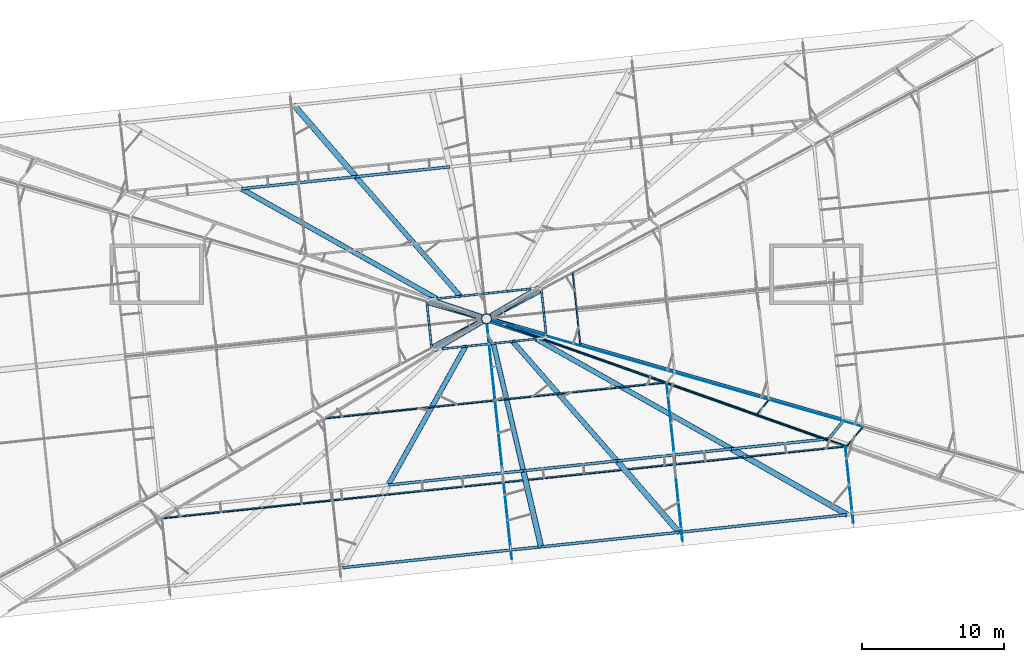
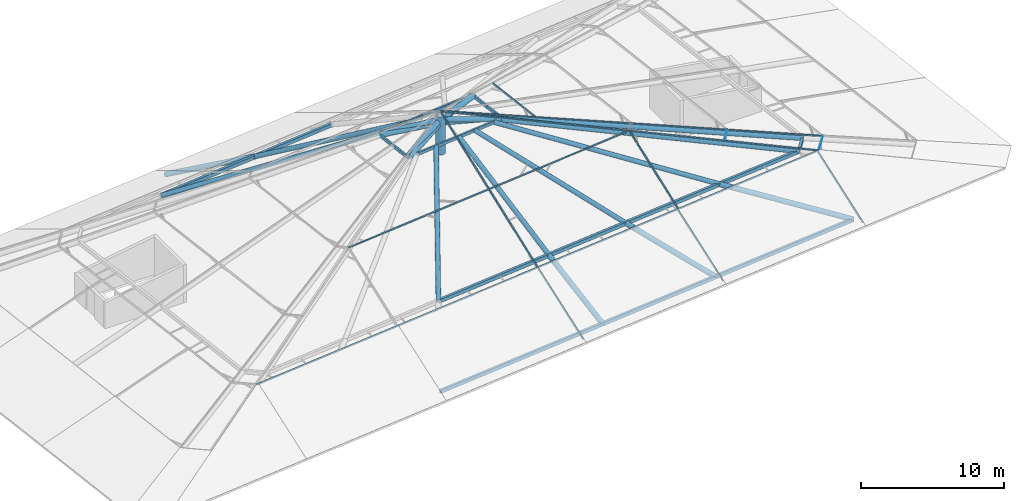
# One storey, part 2 of 20: 33 members, 22 beams, 4 elements without a shape of their own.
"""IFC4 building model written with IfcOpenShell, lengths in metres."""

from ifc_helpers import new_model, si_unit, direction, frame, origin, origin_2d, place, context, subcontext, project, spatial, rectangle, hollow_rectangle, hollow_circle, extrude, material, layer, layer_set, material_profile, profile_set, type_object, element, aggregate, save


model = new_model("IFC4")

# Units and contexts
model_context = context("Model", 3, precision=1e-05, world=origin(), true_north=direction((0.0, 1.0)))
body_context = subcontext(model_context, "Body", "Model", "MODEL_VIEW")
ifc_project = project(units=[si_unit("LENGTHUNIT", "METRE"), si_unit("AREAUNIT", "SQUARE_METRE"), si_unit("VOLUMEUNIT", "CUBIC_METRE"), si_unit("PLANEANGLEUNIT", "RADIAN"), si_unit("MASSUNIT", "GRAM", prefix="KILO")], contexts=[model_context])

# Site, building, storey
site_placement = place(None, origin())
site = spatial("IfcSite", under=ifc_project, at=site_placement, CompositionType="ELEMENT")
building_placement = place(site_placement, origin())
building = spatial("IfcBuilding", under=site, at=building_placement, Name="Hakoniwa Tower and Hamabe Station Hall", CompositionType="ELEMENT")
storey_placement = place(building_placement, frame((0.0, 0.0, 285.0)))
storey = spatial("IfcBuildingStorey", under=building, at=storey_placement, Name="Roof", CompositionType="ELEMENT", Elevation=285.0)

# Members
ifc_material_1 = material(Name="Steel STK490", Category="steel")
ifc_material_profile_1 = material_profile(ifc_material_1, hollow_circle(Radius=0.355712890625, WallThickness=0.02490234375, at=origin_2d()), Name="CHS-711.2x25")
ifc_profile_set_1 = profile_set([ifc_material_profile_1], Name="Steel STK490")
member_type_1 = type_object("IfcMemberType", Name="CROWN KING POST CHS-711.2x25", PredefinedType="POST", material=ifc_profile_set_1)
member_1_placement = place(storey_placement, frame((0.0, 2.5, 6.39990234375), z_axis=(0.0, 0.0, 1.0), x_axis=(1.0, 0.0, 0.0)))
element("IfcMember", 1, at=member_1_placement, inside=storey, type_object=member_type_1, Name="CROWN FRAME CM-01", PredefinedType="POST", context=body_context, shape_type="SweptSolid", body=[
    extrude(hollow_circle(Radius=0.355712890625, WallThickness=0.02490234375, at=origin_2d()), origin(), (0.0, 0.0, 1.0), 3.217041015625),
])
ifc_material_2 = material(Name="Steel STK490", Category="steel")
ifc_material_profile_2 = material_profile(ifc_material_2, hollow_circle(Radius=0.177734375, WallThickness=0.0126953125, at=origin_2d()), Name="CHS-355.6x12.7")
ifc_profile_set_2 = profile_set([ifc_material_profile_2], Name="Steel STK490")
member_type_2 = type_object("IfcMemberType", Name="CROWN RIB CHS-355.6x12.7", PredefinedType="MEMBER", material=ifc_profile_set_2)
member_2_placement = place(storey_placement, frame((-9.17578125, 12.48046875, 3.199951171875), z_axis=(0.592287627107, -0.677561906564, 0.436010584217), x_axis=(0.752895469901, 0.658140115327, 0.0)))
element("IfcMember", 2, at=member_2_placement, inside=storey, type_object=member_type_2, Name="CROWN FRAME CRB-06", PredefinedType="MEMBER", context=body_context, shape_type="SweptSolid", body=[
    extrude(hollow_circle(Radius=0.177734375, WallThickness=0.0126953125, at=origin_2d()), origin(), (0.0, 0.0, 1.0), 12.38525390625),
])
member_3_placement = place(storey_placement, frame((-17.214111328125, 11.635498046875, 3.199951171875), z_axis=(0.824316180444, -0.463918979349, 0.324471902109), x_axis=(0.490454876128, 0.871466588277, 0.0)))
element("IfcMember", 3, at=member_3_placement, inside=storey, type_object=member_type_2, Name="CROWN FRAME CRB-07", PredefinedType="MEMBER", context=body_context, shape_type="SweptSolid", body=[
    extrude(hollow_circle(Radius=0.177734375, WallThickness=0.0126953125, at=origin_2d()), origin(), (0.0, 0.0, 1.0), 16.642822265625),
])
member_4_placement = place(storey_placement, frame((-6.900390625, -9.170166015625, 3.199951171875), z_axis=(0.438467169555, 0.785905684686, 0.43600320641), x_axis=(-0.873281797417, 0.487215457781, 0.0)))
element("IfcMember", 4, at=member_4_placement, inside=storey, type_object=member_type_2, Name="CROWN FRAME CRB-14", PredefinedType="MEMBER", context=body_context, shape_type="SweptSolid", body=[
    extrude(hollow_circle(Radius=0.177734375, WallThickness=0.0126953125, at=origin_2d()), origin(), (0.0, 0.0, 1.0), 12.385498046875),
])
member_5_placement = place(storey_placement, frame((2.584716796875, -8.173095703125, 3.199951171875), z_axis=(-0.197231479814, 0.839196117526, 0.506803334341), x_axis=(-0.973475697054, -0.228790443954, 0.0)))
element("IfcMember", 5, at=member_5_placement, inside=storey, type_object=member_type_2, Name="CROWN FRAME CRB-15", PredefinedType="MEMBER", context=body_context, shape_type="SweptSolid", body=[
    extrude(hollow_circle(Radius=0.177734375, WallThickness=0.0126953125, at=origin_2d()), origin(), (0.0, 0.0, 1.0), 10.6552734375),
])
member_6_placement = place(storey_placement, frame((9.17578125, -7.48046875, 3.199951171875), z_axis=(-0.592287627107, 0.677561906564, 0.436010584217), x_axis=(-0.752895469901, -0.658140115327, 0.0)))
element("IfcMember", 6, at=member_6_placement, inside=storey, type_object=member_type_2, Name="CROWN FRAME CRB-16", PredefinedType="MEMBER", context=body_context, shape_type="SweptSolid", body=[
    extrude(hollow_circle(Radius=0.177734375, WallThickness=0.0126953125, at=origin_2d()), origin(), (0.0, 0.0, 1.0), 12.38525390625),
])
member_7_placement = place(storey_placement, frame((17.214111328125, -6.635498046875, 3.199951171875), z_axis=(-0.824316180444, 0.463918979349, 0.324471902109), x_axis=(-0.490454876128, -0.871466588277, 0.0)))
element("IfcMember", 7, at=member_7_placement, inside=storey, type_object=member_type_2, Name="CROWN FRAME CRB-17", PredefinedType="MEMBER", context=body_context, shape_type="SweptSolid", body=[
    extrude(hollow_circle(Radius=0.177734375, WallThickness=0.0126953125, at=origin_2d()), origin(), (0.0, 0.0, 1.0), 16.642822265625),
])
ifc_material_3 = material(Name="Steel STK490", Category="steel")
ifc_material_profile_3 = material_profile(ifc_material_3, hollow_circle(Radius=0.203125, WallThickness=0.01611328125, at=origin_2d()), Name="CHS-406.4x16")
ifc_profile_set_3 = profile_set([ifc_material_profile_3], Name="Steel STK490")
member_type_3 = type_object("IfcMemberType", Name="CROWN RIB CHS-406.4x16", PredefinedType="MEMBER", material=ifc_profile_set_3)
member_8_placement = place(storey_placement, frame((3.855224609375, 4.548583984375, 8.60009765625), z_axis=(-0.874900174883, -0.464864229426, 0.135834208469), x_axis=(0.469213092441, -0.883084975459, 0.0)))
element("IfcMember", 8, at=member_8_placement, inside=storey, type_object=member_type_3, Name="CROWN FRAME CH-1-3", PredefinedType="MEMBER", context=body_context, shape_type="SweptSolid", body=[
    extrude(hollow_circle(Radius=0.203125, WallThickness=0.01611328125, at=origin_2d()), origin(), (0.0, 0.0, 1.0), 4.047607421875),
])
member_9_placement = place(storey_placement, frame((3.703857421875, 4.67138671875, 8.60009765625), z_axis=(-0.86016753086, -0.504329935084, 0.075915317514), x_axis=(0.505789507768, -0.862656927076, 0.0)))
element("IfcMember", 9, at=member_9_placement, inside=storey, type_object=member_type_3, Name="CROWN FRAME CH-2-3", PredefinedType="MEMBER", context=body_context, shape_type="SweptSolid", body=[
    extrude(hollow_circle(Radius=0.203125, WallThickness=0.01611328125, at=origin_2d()), origin(), (0.0, 0.0, 1.0), 3.94921875),
])
member_10_placement = place(storey_placement, frame((-13.518310546875, 17.495361328125, 0.14990234375), z_axis=(0.594758185141, -0.686845891998, 0.417738461065), x_axis=(0.75596587678, 0.654611024307, 0.0)))
element("IfcMember", 10, at=member_10_placement, inside=storey, type_object=member_type_3, Name="CROWN FRAME CRF-06", PredefinedType="MEMBER", context=body_context, shape_type="SweptSolid", body=[
    extrude(hollow_circle(Radius=0.203125, WallThickness=0.01611328125, at=origin_2d()), origin(), (0.0, 0.0, 1.0), 7.30126953125),
])
member_11_placement = place(storey_placement, frame((-4.07421875, 3.853759765625, 8.60009765625), z_axis=(0.939863285548, -0.312305283568, 0.138283818049), x_axis=(0.315334818001, 0.948980480598, 0.0)))
element("IfcMember", 11, at=member_11_placement, inside=storey, type_object=member_type_3, Name="CROWN FRAME CH-3-3", PredefinedType="MEMBER", context=body_context, shape_type="SweptSolid", body=[
    extrude(hollow_circle(Radius=0.203125, WallThickness=0.01611328125, at=origin_2d()), origin(), (0.0, 0.0, 1.0), 3.975830078125),
])
member_12_placement = place(storey_placement, frame((-4.197021484375, 3.702392578125, 8.60009765625), z_axis=(0.958651007993, -0.274646137683, 0.074550277868), x_axis=(0.275412540221, 0.961326132324, 0.0)))
element("IfcMember", 12, at=member_12_placement, inside=storey, type_object=member_type_3, Name="CROWN FRAME CH-4-3", PredefinedType="MEMBER", context=body_context, shape_type="SweptSolid", body=[
    extrude(hollow_circle(Radius=0.203125, WallThickness=0.01611328125, at=origin_2d()), origin(), (0.0, 0.0, 1.0), 4.021484375),
])
member_13_placement = place(storey_placement, frame((-3.855224609375, 0.451416015625, 8.60009765625), z_axis=(0.874900174883, 0.464864229426, 0.135834208469), x_axis=(-0.469213092441, 0.883084975459, 0.0)))
element("IfcMember", 13, at=member_13_placement, inside=storey, type_object=member_type_3, Name="CROWN FRAME CH-5-3", PredefinedType="MEMBER", context=body_context, shape_type="SweptSolid", body=[
    extrude(hollow_circle(Radius=0.203125, WallThickness=0.01611328125, at=origin_2d()), origin(), (0.0, 0.0, 1.0), 4.047607421875),
])
member_14_placement = place(storey_placement, frame((-3.703857421875, 0.32861328125, 8.60009765625), z_axis=(0.86016753086, 0.504329935084, 0.075915317514), x_axis=(-0.505789507768, 0.862656927076, 0.0)))
element("IfcMember", 14, at=member_14_placement, inside=storey, type_object=member_type_3, Name="CROWN FRAME CH-6-3", PredefinedType="MEMBER", context=body_context, shape_type="SweptSolid", body=[
    extrude(hollow_circle(Radius=0.203125, WallThickness=0.01611328125, at=origin_2d()), origin(), (0.0, 0.0, 1.0), 3.94921875),
])
member_15_placement = place(storey_placement, frame((3.832763671875, -13.51318359375, 0.14990234375), z_axis=(-0.198888566942, 0.850995622988, 0.486055333882), x_axis=(-0.973759380368, -0.227580028, 0.0)))
element("IfcMember", 15, at=member_15_placement, inside=storey, type_object=member_type_3, Name="CROWN FRAME CRF-15", PredefinedType="MEMBER", context=body_context, shape_type="SweptSolid", body=[
    extrude(hollow_circle(Radius=0.203125, WallThickness=0.01611328125, at=origin_2d()), origin(), (0.0, 0.0, 1.0), 6.275146484375),
])
member_16_placement = place(storey_placement, frame((13.518310546875, -12.495361328125, 0.14990234375), z_axis=(-0.594758185141, 0.686845891998, 0.417738461065), x_axis=(-0.75596587678, -0.654611024307, 0.0)))
element("IfcMember", 16, at=member_16_placement, inside=storey, type_object=member_type_3, Name="CROWN FRAME CRF-16", PredefinedType="MEMBER", context=body_context, shape_type="SweptSolid", body=[
    extrude(hollow_circle(Radius=0.203125, WallThickness=0.01611328125, at=origin_2d()), origin(), (0.0, 0.0, 1.0), 7.30126953125),
])
member_17_placement = place(storey_placement, frame((25.329833984375, -11.25390625, 0.14990234375), z_axis=(-0.826169745052, 0.470147796978, 0.310490903824), x_axis=(-0.494592356098, -0.869125078047, 0.0)))
element("IfcMember", 17, at=member_17_placement, inside=storey, type_object=member_type_3, Name="CROWN FRAME CRF-17", PredefinedType="MEMBER", context=body_context, shape_type="SweptSolid", body=[
    extrude(hollow_circle(Radius=0.203125, WallThickness=0.01611328125, at=origin_2d()), origin(), (0.0, 0.0, 1.0), 9.8232421875),
])
member_18_placement = place(storey_placement, frame((24.03076171875, -5.931396484375, 3.199951171875), z_axis=(-0.9132514671, 0.323886863928, 0.247121543402), x_axis=(-0.334253919553, -0.942483059404, 0.0)))
element("IfcMember", 18, at=member_18_placement, inside=storey, type_object=member_type_3, Name="CROWN FRAME CH-7-2", PredefinedType="MEMBER", context=body_context, shape_type="SweptSolid", body=[
    extrude(hollow_circle(Radius=0.203125, WallThickness=0.01611328125, at=origin_2d()), origin(), (0.0, 0.0, 1.0), 21.852294921875),
])
member_19_placement = place(storey_placement, frame((4.07421875, 1.146240234375, 8.60009765625), z_axis=(-0.939863285548, 0.312305283568, 0.138283818049), x_axis=(-0.315334818001, -0.948980480598, 0.0)))
element("IfcMember", 19, at=member_19_placement, inside=storey, type_object=member_type_3, Name="CROWN FRAME CH-7-3", PredefinedType="MEMBER", context=body_context, shape_type="SweptSolid", body=[
    extrude(hollow_circle(Radius=0.203125, WallThickness=0.01611328125, at=origin_2d()), origin(), (0.0, 0.0, 1.0), 3.975830078125),
])
member_20_placement = place(storey_placement, frame((25.045166015625, -4.6787109375, 3.199951171875), z_axis=(-0.932802333081, 0.26739663573, 0.241617148809), x_axis=(-0.275561053028, -0.961283572134, 0.0)))
element("IfcMember", 20, at=member_20_placement, inside=storey, type_object=member_type_3, Name="CROWN FRAME CH-8-2", PredefinedType="MEMBER", context=body_context, shape_type="SweptSolid", body=[
    extrude(hollow_circle(Radius=0.203125, WallThickness=0.01611328125, at=origin_2d()), origin(), (0.0, 0.0, 1.0), 22.35009765625),
])
member_21_placement = place(storey_placement, frame((4.197021484375, 1.297607421875, 8.60009765625), z_axis=(-0.958651007993, 0.274646137683, 0.074550277868), x_axis=(-0.275412540221, -0.961326132324, 0.0)))
element("IfcMember", 21, at=member_21_placement, inside=storey, type_object=member_type_3, Name="CROWN FRAME CH-8-3", PredefinedType="MEMBER", context=body_context, shape_type="SweptSolid", body=[
    extrude(hollow_circle(Radius=0.203125, WallThickness=0.01611328125, at=origin_2d()), origin(), (0.0, 0.0, 1.0), 4.021484375),
])

# Beams
ifc_material_4 = material(Name="Steel STKR400", Category="steel")
ifc_material_profile_4 = material_profile(ifc_material_4, hollow_rectangle(XDim=0.199951171875, YDim=0.300048828125, WallThickness=0.009033203125, InnerFilletRadius=0.00439453125, OuterFilletRadius=0.013427734375, at=origin_2d()), Name="RHS-300x200x9")
ifc_profile_set_4 = profile_set([ifc_material_profile_4], Name="Steel STKR400")
beam_type_1 = type_object("IfcBeamType", Name="CROWN RING BEAM RHS-300x200x9", PredefinedType="BEAM", material=ifc_profile_set_4)
beam_1_placement = place(storey_placement, frame((-10.10498046875, -14.978271484375, 0.14990234375), z_axis=(0.994520619808, 0.104540598705, 0.0), x_axis=(-0.104540598705, 0.994520619808, 0.0)))
element("IfcBeam", 22, at=beam_1_placement, inside=storey, type_object=beam_type_1, Name="CROWN FRAME CRA-14", PredefinedType="BEAM", context=body_context, shape_type="SweptSolid", body=[
    extrude(hollow_rectangle(XDim=0.199951171875, YDim=0.300048828125, WallThickness=0.009033203125, InnerFilletRadius=0.00439453125, OuterFilletRadius=0.013427734375, at=origin_2d()), origin(), (0.0, 0.0, 1.0), 14.0146484375),
])
beam_2_placement = place(storey_placement, frame((3.832763671875, -13.51318359375, 0.14990234375), z_axis=(0.994523706989, 0.104511225409, 0.0), x_axis=(-0.104511225409, 0.994523706989, 0.0)))
element("IfcBeam", 23, at=beam_2_placement, inside=storey, type_object=beam_type_1, Name="CROWN FRAME CRA-15", PredefinedType="BEAM", context=body_context, shape_type="SweptSolid", body=[
    extrude(hollow_rectangle(XDim=0.199951171875, YDim=0.300048828125, WallThickness=0.009033203125, InnerFilletRadius=0.00439453125, OuterFilletRadius=0.013427734375, at=origin_2d()), origin(), (0.0, 0.0, 1.0), 9.73876953125),
])
beam_3_placement = place(storey_placement, frame((13.518310546875, -12.495361328125, 0.14990234375), z_axis=(0.994521773352, 0.104529624173, 0.0), x_axis=(-0.104529624173, 0.994521773352, 0.0)))
element("IfcBeam", 24, at=beam_3_placement, inside=storey, type_object=beam_type_1, Name="CROWN FRAME CRA-16", PredefinedType="BEAM", context=body_context, shape_type="SweptSolid", body=[
    extrude(hollow_rectangle(XDim=0.199951171875, YDim=0.300048828125, WallThickness=0.009033203125, InnerFilletRadius=0.00439453125, OuterFilletRadius=0.013427734375, at=origin_2d()), origin(), (0.0, 0.0, 1.0), 11.87646484375),
])
beam_4_placement = place(storey_placement, frame((-2.584716796875, 13.173095703125, 3.199951171875), z_axis=(-0.994523806302, -0.104510280345, 0.0), x_axis=(0.104510280345, -0.994523806302, 0.0)))
element("IfcBeam", 25, at=beam_4_placement, inside=storey, type_object=beam_type_1, Name="CROWN FRAME CR1-05", PredefinedType="BEAM", context=body_context, shape_type="SweptSolid", body=[
    extrude(hollow_rectangle(XDim=0.199951171875, YDim=0.300048828125, WallThickness=0.009033203125, InnerFilletRadius=0.00439453125, OuterFilletRadius=0.013427734375, at=origin_2d()), origin(), (0.0, 0.0, 1.0), 6.62744140625),
])
beam_5_placement = place(storey_placement, frame((-9.17578125, 12.48046875, 3.199951171875), z_axis=(-0.994520504068, -0.104541699759, 0.0), x_axis=(0.104541699759, -0.994520504068, 0.0)))
element("IfcBeam", 26, at=beam_5_placement, inside=storey, type_object=beam_type_1, Name="CROWN FRAME CR1-06", PredefinedType="BEAM", context=body_context, shape_type="SweptSolid", body=[
    extrude(hollow_rectangle(XDim=0.199951171875, YDim=0.300048828125, WallThickness=0.009033203125, InnerFilletRadius=0.00439453125, OuterFilletRadius=0.013427734375, at=origin_2d()), origin(), (0.0, 0.0, 1.0), 8.08251953125),
])
beam_6_placement = place(storey_placement, frame((-6.900390625, -9.170166015625, 3.199951171875), z_axis=(0.994520310956, 0.104543536844, 0.0), x_axis=(-0.104543536844, 0.994520310956, 0.0)))
element("IfcBeam", 27, at=beam_6_placement, inside=storey, type_object=beam_type_1, Name="CROWN FRAME CR1-14", PredefinedType="BEAM", context=body_context, shape_type="SweptSolid", body=[
    extrude(hollow_rectangle(XDim=0.199951171875, YDim=0.300048828125, WallThickness=0.009033203125, InnerFilletRadius=0.00439453125, OuterFilletRadius=0.013427734375, at=origin_2d()), origin(), (0.0, 0.0, 1.0), 9.537353515625),
])
beam_7_placement = place(storey_placement, frame((2.584716796875, -8.173095703125, 3.199951171875), z_axis=(0.994523806302, 0.104510280345, 0.0), x_axis=(-0.104510280345, 0.994523806302, 0.0)))
element("IfcBeam", 28, at=beam_7_placement, inside=storey, type_object=beam_type_1, Name="CROWN FRAME CR1-15", PredefinedType="BEAM", context=body_context, shape_type="SweptSolid", body=[
    extrude(hollow_rectangle(XDim=0.199951171875, YDim=0.300048828125, WallThickness=0.009033203125, InnerFilletRadius=0.00439453125, OuterFilletRadius=0.013427734375, at=origin_2d()), origin(), (0.0, 0.0, 1.0), 6.62744140625),
])
beam_8_placement = place(storey_placement, frame((9.17578125, -7.48046875, 3.199951171875), z_axis=(0.994520504068, 0.104541699759, 0.0), x_axis=(-0.104541699759, 0.994520504068, 0.0)))
element("IfcBeam", 29, at=beam_8_placement, inside=storey, type_object=beam_type_1, Name="CROWN FRAME CR1-16", PredefinedType="BEAM", context=body_context, shape_type="SweptSolid", body=[
    extrude(hollow_rectangle(XDim=0.199951171875, YDim=0.300048828125, WallThickness=0.009033203125, InnerFilletRadius=0.00439453125, OuterFilletRadius=0.013427734375, at=origin_2d()), origin(), (0.0, 0.0, 1.0), 8.08251953125),
])
beam_9_placement = place(storey_placement, frame((17.214111328125, -6.635498046875, 3.199951171875), z_axis=(0.994707750586, 0.102744785383, 0.0), x_axis=(-0.102744785383, 0.994707750586, 0.0)))
element("IfcBeam", 30, at=beam_9_placement, inside=storey, type_object=beam_type_1, Name="CROWN FRAME CR1-17", PredefinedType="BEAM", context=body_context, shape_type="SweptSolid", body=[
    extrude(hollow_rectangle(XDim=0.199951171875, YDim=0.300048828125, WallThickness=0.009033203125, InnerFilletRadius=0.00439453125, OuterFilletRadius=0.013427734375, at=origin_2d()), origin(), (0.0, 0.0, 1.0), 6.85302734375),
])
beam_10_placement = place(storey_placement, frame((24.03076171875, -5.931396484375, 3.199951171875), z_axis=(0.629320219595, 0.777146100299, 0.0), x_axis=(-0.777146100299, 0.629320219595, 0.0)))
element("IfcBeam", 31, at=beam_10_placement, inside=storey, type_object=beam_type_1, Name="CROWN FRAME CR1-18", PredefinedType="BEAM", context=body_context, shape_type="SweptSolid", body=[
    extrude(hollow_rectangle(XDim=0.199951171875, YDim=0.300048828125, WallThickness=0.009033203125, InnerFilletRadius=0.00439453125, OuterFilletRadius=0.013427734375, at=origin_2d()), origin(), (0.0, 0.0, 1.0), 1.61181640625),
])
ifc_material_5 = material(Name="Steel STKR400", Category="steel")
ifc_material_profile_5 = material_profile(ifc_material_5, hollow_rectangle(XDim=0.14990234375, YDim=0.25, WallThickness=0.009033203125, InnerFilletRadius=0.00439453125, OuterFilletRadius=0.013427734375, at=origin_2d()), Name="RHS-250x150x9")
ifc_profile_set_5 = profile_set([ifc_material_profile_5], Name="Steel STKR400")
beam_type_2 = type_object("IfcBeamType", Name="CROWN UPPER RING RHS-250x150x9", PredefinedType="BEAM", material=ifc_profile_set_5)
beam_11_placement = place(storey_placement, frame((3.12451171875, 4.6103515625, 8.60009765625), z_axis=(-0.994512686377, -0.104616043875, 0.0), x_axis=(0.104616043875, -0.994512686377, 0.0)))
element("IfcBeam", 32, at=beam_11_placement, inside=storey, type_object=beam_type_2, Name="CROWN FRAME CR2-03", PredefinedType="BEAM", context=body_context, shape_type="SweptSolid", body=[
    extrude(hollow_rectangle(XDim=0.14990234375, YDim=0.25, WallThickness=0.009033203125, InnerFilletRadius=0.00439453125, OuterFilletRadius=0.013427734375, at=origin_2d()), origin(), (0.0, 0.0, 1.0), 1.663818359375),
])
beam_12_placement = place(storey_placement, frame((1.4697265625, 4.436279296875, 8.60009765625), z_axis=(-0.994531310809, -0.10443884249, 0.0), x_axis=(0.10443884249, -0.994531310809, 0.0)))
element("IfcBeam", 33, at=beam_12_placement, inside=storey, type_object=beam_type_2, Name="CROWN FRAME CR2-04", PredefinedType="BEAM", context=body_context, shape_type="SweptSolid", body=[
    extrude(hollow_rectangle(XDim=0.14990234375, YDim=0.25, WallThickness=0.009033203125, InnerFilletRadius=0.00439453125, OuterFilletRadius=0.013427734375, at=origin_2d()), origin(), (0.0, 0.0, 1.0), 1.963623046875),
])
beam_13_placement = place(storey_placement, frame((-0.483154296875, 4.231201171875, 8.60009765625), z_axis=(-0.994525044874, -0.10449849338, 0.0), x_axis=(0.10449849338, -0.994525044874, 0.0)))
element("IfcBeam", 34, at=beam_13_placement, inside=storey, type_object=beam_type_2, Name="CROWN FRAME CR2-05", PredefinedType="BEAM", context=body_context, shape_type="SweptSolid", body=[
    extrude(hollow_rectangle(XDim=0.14990234375, YDim=0.25, WallThickness=0.009033203125, InnerFilletRadius=0.00439453125, OuterFilletRadius=0.013427734375, at=origin_2d()), origin(), (0.0, 0.0, 1.0), 1.364501953125),
])
beam_14_placement = place(storey_placement, frame((-1.840087890625, 4.088623046875, 8.60009765625), z_axis=(-0.994514291876, -0.104600780367, 0.0), x_axis=(0.104600780367, -0.994514291876, 0.0)))
element("IfcBeam", 35, at=beam_14_placement, inside=storey, type_object=beam_type_2, Name="CROWN FRAME CR2-06", PredefinedType="BEAM", context=body_context, shape_type="SweptSolid", body=[
    extrude(hollow_rectangle(XDim=0.14990234375, YDim=0.25, WallThickness=0.009033203125, InnerFilletRadius=0.00439453125, OuterFilletRadius=0.013427734375, at=origin_2d()), origin(), (0.0, 0.0, 1.0), 1.6640625),
])
for number, where, z_axis, x_axis, name in (
    (36, (-4.197021484375, 3.702392578125, 8.60009765625), (0.104560375268, -0.994518540764, 0.0), (0.994518540764, 0.104560375268, 0.0), "CROWN FRAME CR2-09"),
    (37, (-4.026123046875, 2.076904296875, 8.60009765625), (0.104560375268, -0.994518540764, 0.0), (0.994518540764, 0.104560375268, 0.0), "CROWN FRAME CR2-10"),
):
    element("IfcBeam", number, at=place(storey_placement, frame(where, z_axis=z_axis, x_axis=x_axis)), inside=storey, type_object=beam_type_2, Name=name, PredefinedType="BEAM", context=body_context, shape_type="SweptSolid", body=[
        extrude(hollow_rectangle(XDim=0.14990234375, YDim=0.25, WallThickness=0.009033203125, InnerFilletRadius=0.00439453125, OuterFilletRadius=0.013427734375, at=origin_2d()), origin(), (0.0, 0.0, 1.0), 1.634521484375),
    ])
beam_15_placement = place(storey_placement, frame((-3.12451171875, 0.3896484375, 8.60009765625), z_axis=(0.994512686377, 0.104616043875, 0.0), x_axis=(-0.104616043875, 0.994512686377, 0.0)))
element("IfcBeam", 38, at=beam_15_placement, inside=storey, type_object=beam_type_2, Name="CROWN FRAME CR2-13", PredefinedType="BEAM", context=body_context, shape_type="SweptSolid", body=[
    extrude(hollow_rectangle(XDim=0.14990234375, YDim=0.25, WallThickness=0.009033203125, InnerFilletRadius=0.00439453125, OuterFilletRadius=0.013427734375, at=origin_2d()), origin(), (0.0, 0.0, 1.0), 1.663818359375),
])
beam_16_placement = place(storey_placement, frame((-1.4697265625, 0.563720703125, 8.60009765625), z_axis=(0.994531310809, 0.10443884249, 0.0), x_axis=(-0.10443884249, 0.994531310809, 0.0)))
element("IfcBeam", 39, at=beam_16_placement, inside=storey, type_object=beam_type_2, Name="CROWN FRAME CR2-14", PredefinedType="BEAM", context=body_context, shape_type="SweptSolid", body=[
    extrude(hollow_rectangle(XDim=0.14990234375, YDim=0.25, WallThickness=0.009033203125, InnerFilletRadius=0.00439453125, OuterFilletRadius=0.013427734375, at=origin_2d()), origin(), (0.0, 0.0, 1.0), 1.963623046875),
])
beam_17_placement = place(storey_placement, frame((0.483154296875, 0.768798828125, 8.60009765625), z_axis=(0.994525044874, 0.10449849338, 0.0), x_axis=(-0.10449849338, 0.994525044874, 0.0)))
element("IfcBeam", 40, at=beam_17_placement, inside=storey, type_object=beam_type_2, Name="CROWN FRAME CR2-15", PredefinedType="BEAM", context=body_context, shape_type="SweptSolid", body=[
    extrude(hollow_rectangle(XDim=0.14990234375, YDim=0.25, WallThickness=0.009033203125, InnerFilletRadius=0.00439453125, OuterFilletRadius=0.013427734375, at=origin_2d()), origin(), (0.0, 0.0, 1.0), 1.364501953125),
])
beam_18_placement = place(storey_placement, frame((1.840087890625, 0.911376953125, 8.60009765625), z_axis=(0.994514291876, 0.104600780367, 0.0), x_axis=(-0.104600780367, 0.994514291876, 0.0)))
element("IfcBeam", 41, at=beam_18_placement, inside=storey, type_object=beam_type_2, Name="CROWN FRAME CR2-16", PredefinedType="BEAM", context=body_context, shape_type="SweptSolid", body=[
    extrude(hollow_rectangle(XDim=0.14990234375, YDim=0.25, WallThickness=0.009033203125, InnerFilletRadius=0.00439453125, OuterFilletRadius=0.013427734375, at=origin_2d()), origin(), (0.0, 0.0, 1.0), 1.6640625),
])
for number, where, z_axis, x_axis, name in (
    (42, (4.197021484375, 1.297607421875, 8.60009765625), (-0.104560375268, 0.994518540764, 0.0), (-0.994518540764, -0.104560375268, 0.0), "CROWN FRAME CR2-19"),
    (43, (4.026123046875, 2.923095703125, 8.60009765625), (-0.104560375268, 0.994518540764, 0.0), (-0.994518540764, -0.104560375268, 0.0), "CROWN FRAME CR2-20"),
):
    element("IfcBeam", number, at=place(storey_placement, frame(where, z_axis=z_axis, x_axis=x_axis)), inside=storey, type_object=beam_type_2, Name=name, PredefinedType="BEAM", context=body_context, shape_type="SweptSolid", body=[
        extrude(hollow_rectangle(XDim=0.14990234375, YDim=0.25, WallThickness=0.009033203125, InnerFilletRadius=0.00439453125, OuterFilletRadius=0.013427734375, at=origin_2d()), origin(), (0.0, 0.0, 1.0), 1.634521484375),
    ])

# Curtain wall, members
ifc_material_6 = material(Name="Dark low-e laminated glass", Category="glass")
ifc_layer = layer(ifc_material_6, 0.199951171875)
ifc_layer_set = layer_set([ifc_layer], Name="CW-4 CROWN FACETS")
curtain_wall_type = type_object("IfcCurtainWallType", Name="CW-4 CROWN FACETS", PredefinedType="NOTDEFINED", material=ifc_layer_set)
curtain_wall_1_placement = place(storey_placement, origin())
curtain_wall_1 = element("IfcCurtainWall", 44, at=curtain_wall_1_placement, inside=storey, type_object=curtain_wall_type, Name="Crown tent facet", PredefinedType="NOTDEFINED")
ifc_material_7 = material(Name="Aluminium 6063-T5 black anodised", Category="aluminium")
ifc_material_profile_6 = material_profile(ifc_material_7, rectangle(XDim=0.06005859375, YDim=0.1201171875, at=origin_2d()), Name="CW-4 GLAZING BAR 60X120")
ifc_profile_set_6 = profile_set([ifc_material_profile_6], Name="Aluminium 6063-T5 black anodised")
member_type_4 = type_object("IfcMemberType", Name="CW-4 GLAZING BAR 60X120", PredefinedType="MULLION", material=ifc_profile_set_6)
member_22_placement = place(storey_placement, frame((0.0, 2.5, 9.898193359375), z_axis=(0.090146821884, -0.857717009915, -0.506157170657), x_axis=(0.994522292227, 0.104524687336, 8.33047e-07)))
member_22 = element("IfcMember", 45, at=member_22_placement, type_object=member_type_4, Name="Crown glazing bar", PredefinedType="MULLION", context=body_context, shape_type="SweptSolid", body=[
    extrude(rectangle(XDim=0.06005859375, YDim=0.1201171875, at=origin_2d()), origin(), (0.0, 0.0, 1.0), 13.386962890625),
])
member_23_placement = place(storey_placement, frame((12.651123046875, -1.96533203125, 6.5146484375), z_axis=(0.091443665204, -0.857662190048, -0.506017414578), x_axis=(0.994404032741, 0.105641858482, 0.000646068161)))
member_23 = element("IfcMember", 46, at=member_23_placement, type_object=member_type_4, Name="Crown glazing bar", PredefinedType="MULLION", context=body_context, shape_type="SweptSolid", body=[
    extrude(rectangle(XDim=0.06005859375, YDim=0.1201171875, at=origin_2d()), origin(), (0.0, 0.0, 1.0), 6.7041015625),
])

curtain_wall_2_placement = place(storey_placement, origin())
curtain_wall_2 = element("IfcCurtainWall", 47, at=curtain_wall_2_placement, inside=storey, type_object=curtain_wall_type, Name="Crown tent facet", PredefinedType="NOTDEFINED")
member_24_placement = place(storey_placement, frame((1.206787109375, -8.982177734375, 3.122314453125), z_axis=(0.091171655854, -0.867547906607, -0.488925719215), x_axis=(0.994523242325, 0.104515647038, -1.5e-11)))
member_24 = element("IfcMember", 48, at=member_24_placement, type_object=member_type_4, Name="Crown glazing bar", PredefinedType="MULLION", context=body_context, shape_type="SweptSolid", body=[
    extrude(rectangle(XDim=0.06005859375, YDim=0.1201171875, at=origin_2d()), origin(), (0.0, 0.0, 1.0), 6.201904296875),
])
member_25_placement = place(storey_placement, frame((13.2041015625, -7.72119140625, 3.122314453125), z_axis=(0.091171655854, -0.867547906607, -0.488925719215), x_axis=(0.994523242325, 0.104515647038, -1.5e-11)))
member_25 = element("IfcMember", 49, at=member_25_placement, type_object=member_type_4, Name="Crown glazing bar", PredefinedType="MULLION", context=body_context, shape_type="SweptSolid", body=[
    extrude(rectangle(XDim=0.06005859375, YDim=0.1201171875, at=origin_2d()), origin(), (0.0, 0.0, 1.0), 6.201904296875),
])
member_26_placement = place(storey_placement, frame((25.201416015625, -6.46044921875, 3.122314453125), z_axis=(0.091174769627, -0.86753816851, -0.48894241743), x_axis=(0.994522749339, 0.104520337962, -1.5e-11)))
member_26 = element("IfcMember", 50, at=member_26_placement, type_object=member_type_4, Name="Crown glazing bar", PredefinedType="MULLION", context=body_context, shape_type="SweptSolid", body=[
    extrude(rectangle(XDim=0.06005859375, YDim=0.1201171875, at=origin_2d()), origin(), (0.0, 0.0, 1.0), 6.20166015625),
])
aggregate(curtain_wall_2, [member_24, member_25, member_26])

# Curtain wall, member
curtain_wall_3_placement = place(storey_placement, origin())
curtain_wall_3 = element("IfcCurtainWall", 51, at=curtain_wall_3_placement, inside=storey, type_object=curtain_wall_type, Name="Crown tent facet", PredefinedType="NOTDEFINED")
member_27_placement = place(storey_placement, frame((6.058349609375, 5.720458984375, 8.212158203125), z_axis=(0.104516619295, -0.994523140149, 0.0), x_axis=(0.961010454832, 0.100994697651, -0.257408190916)))
member_27 = element("IfcMember", 52, at=member_27_placement, type_object=member_type_4, Name="Crown glazing bar", PredefinedType="MULLION", context=body_context, shape_type="SweptSolid", body=[
    extrude(rectangle(XDim=0.06005859375, YDim=0.1201171875, at=origin_2d()), origin(), (0.0, 0.0, 1.0), 5.138916015625),
])

# Curtain wall, members
curtain_wall_4_placement = place(storey_placement, origin())
curtain_wall_4 = element("IfcCurtainWall", 53, at=curtain_wall_4_placement, inside=storey, type_object=curtain_wall_type, Name="Crown tent facet", PredefinedType="NOTDEFINED")
member_28_placement = place(storey_placement, frame((18.982666015625, -4.213623046875, 4.814453125), z_axis=(0.634433688117, 0.772975533356, -0.001649307681), x_axis=(-0.746296129181, 0.613089056204, 0.259159982892)))
member_28 = element("IfcMember", 54, at=member_28_placement, type_object=member_type_4, Name="Crown glazing bar", PredefinedType="MULLION", context=body_context, shape_type="SweptSolid", body=[
    extrude(rectangle(XDim=0.06005859375, YDim=0.1201171875, at=origin_2d()), origin(), (0.0, 0.0, 1.0), 1.332275390625),
])
member_29_placement = place(storey_placement, frame((25.301513671875, -6.45458984375, 3.106689453125), z_axis=(0.637204410935, 0.770690460532, -0.002598601375), x_axis=(-0.745048815912, 0.616859554453, 0.253745053132)))
member_29 = element("IfcMember", 55, at=member_29_placement, type_object=member_type_4, Name="Crown glazing bar", PredefinedType="MULLION", context=body_context, shape_type="SweptSolid", body=[
    extrude(rectangle(XDim=0.06005859375, YDim=0.1201171875, at=origin_2d()), origin(), (0.0, 0.0, 1.0), 1.78515625),
])
aggregate(curtain_wall_4, [member_28, member_29])

# Member
member_30_placement = place(storey_placement, frame((0.0, 2.5, 9.88671875), z_axis=(0.913963191198, -0.323404802305, -0.245113481842), x_axis=(0.384515769803, 0.883234836485, 0.268409847794)))
member_30 = element("IfcMember", 56, at=member_30_placement, type_object=member_type_4, Name="Crown glazing bar", PredefinedType="MULLION", context=body_context, shape_type="SweptSolid", body=[
    extrude(rectangle(XDim=0.06005859375, YDim=0.1201171875, at=origin_2d()), origin(), (0.0, 0.0, 1.0), 27.681640625),
])

member_31_placement = place(storey_placement, frame((0.0, 2.5, 9.8896484375), z_axis=(0.93326192526, -0.267522847549, -0.239695024769), x_axis=(0.276119654814, 0.961120322845, 0.002379336198)))
member_31 = element("IfcMember", 57, at=member_31_placement, type_object=member_type_4, Name="Crown glazing bar", PredefinedType="MULLION", context=body_context, shape_type="SweptSolid", body=[
    extrude(rectangle(XDim=0.06005859375, YDim=0.1201171875, at=origin_2d()), origin(), (0.0, 0.0, 1.0), 28.328857421875),
])

aggregate(curtain_wall_3, [member_27, member_31])

member_32_placement = place(storey_placement, frame((-11.4462890625, -4.498046875, 6.5146484375), z_axis=(0.994522003604, 0.104527433466, 0.0), x_axis=(-0.090157696399, 0.857801726208, 0.506011648379)))
member_32 = element("IfcMember", 58, at=member_32_placement, type_object=member_type_4, Name="Crown glazing bar", PredefinedType="MULLION", context=body_context, shape_type="SweptSolid", body=[
    extrude(rectangle(XDim=0.06005859375, YDim=0.1201171875, at=origin_2d()), origin(), (0.0, 0.0, 1.0), 24.230224609375),
])

member_33_placement = place(storey_placement, frame((-22.886962890625, -11.519287109375, 3.106689453125), z_axis=(0.994522143621, 0.104526101274, 0.0), x_axis=(-0.090672405502, 0.862710021595, 0.497503702016)))
member_33 = element("IfcMember", 59, at=member_33_placement, type_object=member_type_4, Name="Crown glazing bar", PredefinedType="MULLION", context=body_context, shape_type="SweptSolid", body=[
    extrude(rectangle(XDim=0.06005859375, YDim=0.1201171875, at=origin_2d()), origin(), (0.0, 0.0, 1.0), 48.453857421875),
])

aggregate(curtain_wall_1, [member_22, member_23, member_30, member_32, member_33])

save(model, "model.ifc")
